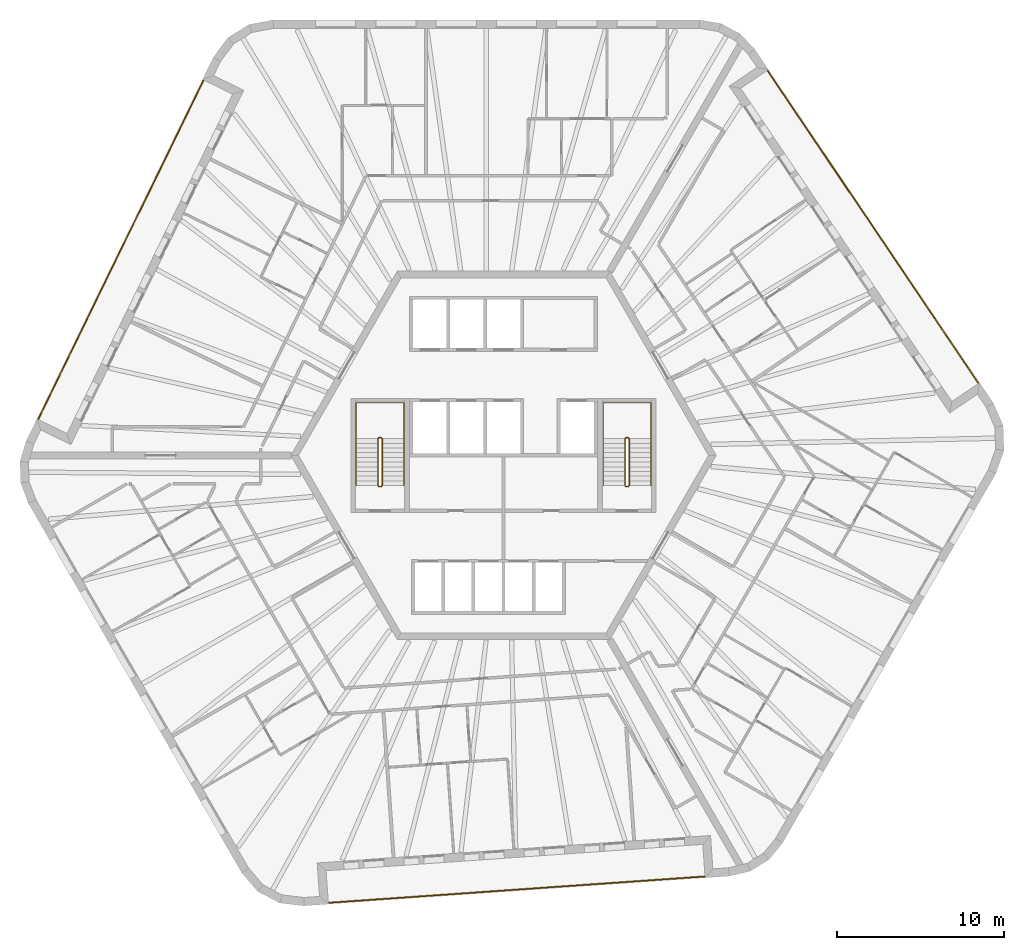
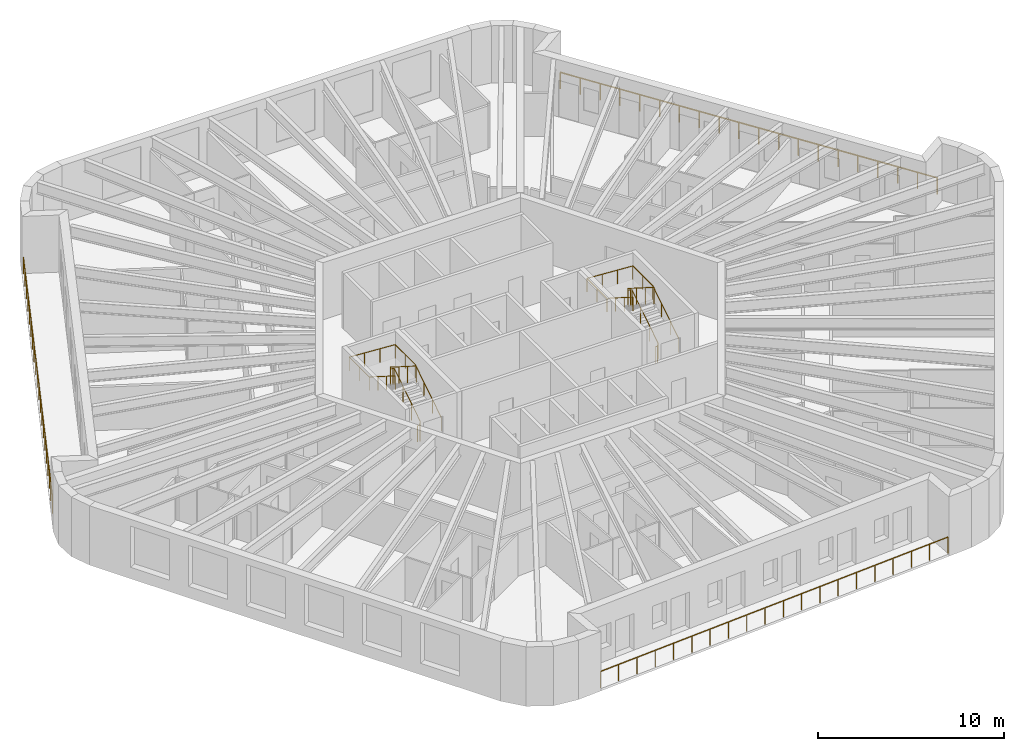
# One storey, part 12 of 12: 7 railings.
"""IFC4 building model written with IfcOpenShell, lengths in metres."""

from ifc_helpers import new_model, si_unit, direction, frame, origin, origin_2d, place, context, subcontext, project, spatial, circle, extrude, material, type_object, element, save


model = new_model("IFC4")

# Units and contexts
model_context = context("Model", 3, precision=1e-05, world=origin(), true_north=direction((0.0, 1.0)))
body_context = subcontext(model_context, "Body", "Model", "MODEL_VIEW")
ifc_project = project(units=[si_unit("LENGTHUNIT", "METRE"), si_unit("AREAUNIT", "SQUARE_METRE"), si_unit("VOLUMEUNIT", "CUBIC_METRE"), si_unit("PLANEANGLEUNIT", "RADIAN"), si_unit("MASSUNIT", "GRAM", prefix="KILO")], contexts=[model_context])

# Site, building, storey
site_placement = place(None, origin())
site = spatial("IfcSite", under=ifc_project, at=site_placement, CompositionType="ELEMENT")
building_placement = place(site_placement, origin())
building = spatial("IfcBuilding", under=site, at=building_placement, Name="Tarnside Tower", CompositionType="ELEMENT")
storey_placement = place(building_placement, frame((0.0, 0.0, 330.300048828125)))
storey = spatial("IfcBuildingStorey", under=building, at=storey_placement, Name="L80", CompositionType="ELEMENT", Elevation=330.300048828125)

# Railings
ifc_material_1 = material(Name="Toughened glass", Category="glass")
railing_type_1 = type_object("IfcRailingType", Name="Glass guard 1100", PredefinedType="GUARDRAIL", material=ifc_material_1)
railing_1_placement = place(storey_placement, frame((-17.906005859375, 22.415283203125, 0.0)))
element("IfcRailing", 1, at=railing_1_placement, inside=storey, type_object=railing_type_1, Name="Loggia guard L80 F2", PredefinedType="GUARDRAIL", context=body_context, shape_type="SweptSolid", body=[
    extrude(circle(Radius=0.030029296875, at=origin_2d()), frame((0.0, 0.0, 1.070068359375), z_axis=(-0.438372639335, -0.898793318335, 0.0), x_axis=(0.898793318335, -0.438372639335, 0.0)), (0.0, 0.0, 1.0), 22.544921875),
    extrude(circle(Radius=0.02490234375, at=origin_2d()), origin(), (0.0, 0.0, 1.0), 1.0400390625),
    extrude(circle(Radius=0.02490234375, at=origin_2d()), frame((-0.520263671875, -1.06640625, 0.0)), (0.0, 0.0, 1.0), 1.0400390625),
    extrude(circle(Radius=0.02490234375, at=origin_2d()), frame((-1.040283203125, -2.133056640625, 0.0)), (0.0, 0.0, 1.0), 1.0400390625),
    extrude(circle(Radius=0.02490234375, at=origin_2d()), frame((-1.560546875, -3.199462890625, 0.0)), (0.0, 0.0, 1.0), 1.0400390625),
    extrude(circle(Radius=0.02490234375, at=origin_2d()), frame((-2.08056640625, -4.265869140625, 0.0)), (0.0, 0.0, 1.0), 1.0400390625),
    extrude(circle(Radius=0.02490234375, at=origin_2d()), frame((-2.600830078125, -5.33251953125, 0.0)), (0.0, 0.0, 1.0), 1.0400390625),
    extrude(circle(Radius=0.02490234375, at=origin_2d()), frame((-3.120849609375, -6.39892578125, 0.0)), (0.0, 0.0, 1.0), 1.0400390625),
    extrude(circle(Radius=0.02490234375, at=origin_2d()), frame((-3.64111328125, -7.46533203125, 0.0)), (0.0, 0.0, 1.0), 1.0400390625),
    extrude(circle(Radius=0.02490234375, at=origin_2d()), frame((-4.161376953125, -8.531982421875, 0.0)), (0.0, 0.0, 1.0), 1.0400390625),
    extrude(circle(Radius=0.02490234375, at=origin_2d()), frame((-4.681396484375, -9.598388671875, 0.0)), (0.0, 0.0, 1.0), 1.0400390625),
    extrude(circle(Radius=0.02490234375, at=origin_2d()), frame((-5.20166015625, -10.664794921875, 0.0)), (0.0, 0.0, 1.0), 1.0400390625),
    extrude(circle(Radius=0.02490234375, at=origin_2d()), frame((-5.7216796875, -11.731201171875, 0.0)), (0.0, 0.0, 1.0), 1.0400390625),
    extrude(circle(Radius=0.02490234375, at=origin_2d()), frame((-6.241943359375, -12.7978515625, 0.0)), (0.0, 0.0, 1.0), 1.0400390625),
    extrude(circle(Radius=0.02490234375, at=origin_2d()), frame((-6.76220703125, -13.8642578125, 0.0)), (0.0, 0.0, 1.0), 1.0400390625),
    extrude(circle(Radius=0.02490234375, at=origin_2d()), frame((-7.2822265625, -14.9306640625, 0.0)), (0.0, 0.0, 1.0), 1.0400390625),
    extrude(circle(Radius=0.02490234375, at=origin_2d()), frame((-7.802490234375, -15.997314453125, 0.0)), (0.0, 0.0, 1.0), 1.0400390625),
    extrude(circle(Radius=0.02490234375, at=origin_2d()), frame((-8.322509765625, -17.063720703125, 0.0)), (0.0, 0.0, 1.0), 1.0400390625),
    extrude(circle(Radius=0.02490234375, at=origin_2d()), frame((-8.8427734375, -18.130126953125, 0.0)), (0.0, 0.0, 1.0), 1.0400390625),
    extrude(circle(Radius=0.02490234375, at=origin_2d()), frame((-9.36279296875, -19.19677734375, 0.0)), (0.0, 0.0, 1.0), 1.0400390625),
    extrude(circle(Radius=0.02490234375, at=origin_2d()), frame((-9.883056640625, -20.26318359375, 0.0)), (0.0, 0.0, 1.0), 1.0400390625),
])
railing_2_placement = place(storey_placement, frame((-10.458984375, -26.714599609375, 0.0)))
element("IfcRailing", 2, at=railing_2_placement, inside=storey, type_object=railing_type_1, Name="Loggia guard L80 F4", PredefinedType="GUARDRAIL", context=body_context, shape_type="SweptSolid", body=[
    extrude(circle(Radius=0.030029296875, at=origin_2d()), frame((0.0, 0.0, 1.070068359375), z_axis=(0.997564440639, 0.069750890837, 0.0), x_axis=(-0.069750890837, 0.997564440639, 0.0)), (0.0, 0.0, 1.0), 22.544677734375),
    extrude(circle(Radius=0.02490234375, at=origin_2d()), origin(), (0.0, 0.0, 1.0), 1.0400390625),
    extrude(circle(Radius=0.02490234375, at=origin_2d()), frame((1.18359375, 0.082763671875, 0.0)), (0.0, 0.0, 1.0), 1.0400390625),
    extrude(circle(Radius=0.02490234375, at=origin_2d()), frame((2.367431640625, 0.16552734375, 0.0)), (0.0, 0.0, 1.0), 1.0400390625),
    extrude(circle(Radius=0.02490234375, at=origin_2d()), frame((3.551025390625, 0.248291015625, 0.0)), (0.0, 0.0, 1.0), 1.0400390625),
    extrude(circle(Radius=0.02490234375, at=origin_2d()), frame((4.734619140625, 0.3310546875, 0.0)), (0.0, 0.0, 1.0), 1.0400390625),
    extrude(circle(Radius=0.02490234375, at=origin_2d()), frame((5.91845703125, 0.413818359375, 0.0)), (0.0, 0.0, 1.0), 1.0400390625),
    extrude(circle(Radius=0.02490234375, at=origin_2d()), frame((7.10205078125, 0.49658203125, 0.0)), (0.0, 0.0, 1.0), 1.0400390625),
    extrude(circle(Radius=0.02490234375, at=origin_2d()), frame((8.28564453125, 0.579345703125, 0.0)), (0.0, 0.0, 1.0), 1.0400390625),
    extrude(circle(Radius=0.02490234375, at=origin_2d()), frame((9.469482421875, 0.662109375, 0.0)), (0.0, 0.0, 1.0), 1.0400390625),
    extrude(circle(Radius=0.02490234375, at=origin_2d()), frame((10.653076171875, 0.744873046875, 0.0)), (0.0, 0.0, 1.0), 1.0400390625),
    extrude(circle(Radius=0.02490234375, at=origin_2d()), frame((11.836669921875, 0.82763671875, 0.0)), (0.0, 0.0, 1.0), 1.0400390625),
    extrude(circle(Radius=0.02490234375, at=origin_2d()), frame((13.020263671875, 0.910400390625, 0.0)), (0.0, 0.0, 1.0), 1.0400390625),
    extrude(circle(Radius=0.02490234375, at=origin_2d()), frame((14.2041015625, 0.9931640625, 0.0)), (0.0, 0.0, 1.0), 1.0400390625),
    extrude(circle(Radius=0.02490234375, at=origin_2d()), frame((15.3876953125, 1.075927734375, 0.0)), (0.0, 0.0, 1.0), 1.0400390625),
    extrude(circle(Radius=0.02490234375, at=origin_2d()), frame((16.5712890625, 1.15869140625, 0.0)), (0.0, 0.0, 1.0), 1.0400390625),
    extrude(circle(Radius=0.02490234375, at=origin_2d()), frame((17.755126953125, 1.241455078125, 0.0)), (0.0, 0.0, 1.0), 1.0400390625),
    extrude(circle(Radius=0.02490234375, at=origin_2d()), frame((18.938720703125, 1.32421875, 0.0)), (0.0, 0.0, 1.0), 1.0400390625),
    extrude(circle(Radius=0.02490234375, at=origin_2d()), frame((20.122314453125, 1.406982421875, 0.0)), (0.0, 0.0, 1.0), 1.0400390625),
    extrude(circle(Radius=0.02490234375, at=origin_2d()), frame((21.30615234375, 1.48974609375, 0.0)), (0.0, 0.0, 1.0), 1.0400390625),
    extrude(circle(Radius=0.02490234375, at=origin_2d()), frame((22.48974609375, 1.572509765625, 0.0)), (0.0, 0.0, 1.0), 1.0400390625),
])
railing_3_placement = place(storey_placement, frame((28.365234375, 4.299560546875, 0.0)))
element("IfcRailing", 3, at=railing_3_placement, inside=storey, type_object=railing_type_1, Name="Loggia guard L80 F6", PredefinedType="GUARDRAIL", context=body_context, shape_type="SweptSolid", body=[
    extrude(circle(Radius=0.030029296875, at=origin_2d()), frame((0.0, 0.0, 1.070068359375), z_axis=(-0.559195329741, 0.82903593601, 0.0), x_axis=(-0.82903593601, -0.559195329741, 0.0)), (0.0, 0.0, 1.0), 22.544677734375),
    extrude(circle(Radius=0.02490234375, at=origin_2d()), origin(), (0.0, 0.0, 1.0), 1.0400390625),
    extrude(circle(Radius=0.02490234375, at=origin_2d()), frame((-0.66357421875, 0.983642578125, 0.0)), (0.0, 0.0, 1.0), 1.0400390625),
    extrude(circle(Radius=0.02490234375, at=origin_2d()), frame((-1.3271484375, 1.967529296875, 0.0)), (0.0, 0.0, 1.0), 1.0400390625),
    extrude(circle(Radius=0.02490234375, at=origin_2d()), frame((-1.990478515625, 2.951171875, 0.0)), (0.0, 0.0, 1.0), 1.0400390625),
    extrude(circle(Radius=0.02490234375, at=origin_2d()), frame((-2.654052734375, 3.934814453125, 0.0)), (0.0, 0.0, 1.0), 1.0400390625),
    extrude(circle(Radius=0.02490234375, at=origin_2d()), frame((-3.317626953125, 4.91845703125, 0.0)), (0.0, 0.0, 1.0), 1.0400390625),
    extrude(circle(Radius=0.02490234375, at=origin_2d()), frame((-3.981201171875, 5.90234375, 0.0)), (0.0, 0.0, 1.0), 1.0400390625),
    extrude(circle(Radius=0.02490234375, at=origin_2d()), frame((-4.644775390625, 6.885986328125, 0.0)), (0.0, 0.0, 1.0), 1.0400390625),
    extrude(circle(Radius=0.02490234375, at=origin_2d()), frame((-5.30810546875, 7.86962890625, 0.0)), (0.0, 0.0, 1.0), 1.0400390625),
    extrude(circle(Radius=0.02490234375, at=origin_2d()), frame((-5.9716796875, 8.853271484375, 0.0)), (0.0, 0.0, 1.0), 1.0400390625),
    extrude(circle(Radius=0.02490234375, at=origin_2d()), frame((-6.63525390625, 9.837158203125, 0.0)), (0.0, 0.0, 1.0), 1.0400390625),
    extrude(circle(Radius=0.02490234375, at=origin_2d()), frame((-7.298828125, 10.82080078125, 0.0)), (0.0, 0.0, 1.0), 1.0400390625),
    extrude(circle(Radius=0.02490234375, at=origin_2d()), frame((-7.962158203125, 11.804443359375, 0.0)), (0.0, 0.0, 1.0), 1.0400390625),
    extrude(circle(Radius=0.02490234375, at=origin_2d()), frame((-8.625732421875, 12.7880859375, 0.0)), (0.0, 0.0, 1.0), 1.0400390625),
    extrude(circle(Radius=0.02490234375, at=origin_2d()), frame((-9.289306640625, 13.77197265625, 0.0)), (0.0, 0.0, 1.0), 1.0400390625),
    extrude(circle(Radius=0.02490234375, at=origin_2d()), frame((-9.952880859375, 14.755615234375, 0.0)), (0.0, 0.0, 1.0), 1.0400390625),
    extrude(circle(Radius=0.02490234375, at=origin_2d()), frame((-10.616455078125, 15.7392578125, 0.0)), (0.0, 0.0, 1.0), 1.0400390625),
    extrude(circle(Radius=0.02490234375, at=origin_2d()), frame((-11.27978515625, 16.722900390625, 0.0)), (0.0, 0.0, 1.0), 1.0400390625),
    extrude(circle(Radius=0.02490234375, at=origin_2d()), frame((-11.943359375, 17.706787109375, 0.0)), (0.0, 0.0, 1.0), 1.0400390625),
    extrude(circle(Radius=0.02490234375, at=origin_2d()), frame((-12.60693359375, 18.6904296875, 0.0)), (0.0, 0.0, 1.0), 1.0400390625),
])
ifc_material_2 = material(Name="Stainless steel", Category="steel")
railing_type_2 = type_object("IfcRailingType", Name="Stair guard 1100", PredefinedType="GUARDRAIL", material=ifc_material_2)
railing_4_placement = place(storey_placement, frame((7.300048828125, -1.85009765625, 0.0)))
element("IfcRailing", 4, at=railing_4_placement, inside=storey, type_object=railing_type_2, Name="L80 ST1 stair guard 1", PredefinedType="GUARDRAIL", context=body_context, shape_type="SweptSolid", body=[
    extrude(circle(Radius=0.02392578125, at=origin_2d()), frame((0.0, 0.0, 1.076171875), z_axis=(1.0, 0.0, 0.0), x_axis=(0.0, 1.0, 0.0)), (0.0, 0.0, 1.0), 0.14990234375),
    extrude(circle(Radius=0.02392578125, at=origin_2d()), frame((0.14990234375, 0.0, 1.076171875), z_axis=(0.262233686654, 0.262233686654, 0.928691007369), x_axis=(-0.707106781187, 0.707106781187, 0.0)), (0.0, 0.0, 1.0), 0.19091796875),
    extrude(circle(Radius=0.02392578125, at=origin_2d()), frame((0.199951171875, 0.050048828125, 1.25341796875), z_axis=(0.0, 0.844908973607, 0.534910110503), x_axis=(-1.0, 0.0, 0.0)), (0.0, 0.0, 1.0), 3.31396484375),
    extrude(circle(Radius=0.02392578125, at=origin_2d()), frame((0.199951171875, 2.85009765625, 3.02587890625), z_axis=(-0.707106781187, 0.707106781187, 0.0), x_axis=(-0.707106781187, -0.707106781187, 0.0)), (0.0, 0.0, 1.0), 0.07080078125),
    extrude(circle(Radius=0.02392578125, at=origin_2d()), frame((0.14990234375, 2.900146484375, 3.02587890625), z_axis=(-1.0, 0.0, 0.0), x_axis=(0.0, -1.0, 0.0)), (0.0, 0.0, 1.0), 0.14990234375),
    extrude(circle(Radius=0.02392578125, at=origin_2d()), frame((0.0, 2.900146484375, 3.02587890625), z_axis=(-0.262233686654, -0.262233686654, 0.928691007369), x_axis=(0.707106781187, -0.707106781187, 0.0)), (0.0, 0.0, 1.0), 0.19091796875),
    extrude(circle(Radius=0.02392578125, at=origin_2d()), frame((-0.050048828125, 2.85009765625, 3.203125), z_axis=(0.0, -0.844908973607, 0.534910110503), x_axis=(1.0, 0.0, 0.0)), (0.0, 0.0, 1.0), 3.31396484375),
    extrude(circle(Radius=0.02099609375, at=origin_2d()), origin(), (0.0, 0.0, 1.0), 1.052001953125),
    extrude(circle(Radius=0.02099609375, at=origin_2d()), frame((0.14990234375, 0.0, 0.0)), (0.0, 0.0, 1.0), 1.052001953125),
    extrude(circle(Radius=0.02099609375, at=origin_2d()), frame((0.199951171875, 0.050048828125, 0.17724609375)), (0.0, 0.0, 1.0), 1.052001953125),
    extrude(circle(Radius=0.02099609375, at=origin_2d()), frame((0.199951171875, 0.9833984375, 0.76806640625)), (0.0, 0.0, 1.0), 1.052001953125),
    extrude(circle(Radius=0.02099609375, at=origin_2d()), frame((0.199951171875, 1.916748046875, 1.359130859375)), (0.0, 0.0, 1.0), 1.052001953125),
    extrude(circle(Radius=0.02099609375, at=origin_2d()), frame((0.199951171875, 2.85009765625, 1.949951171875)), (0.0, 0.0, 1.0), 1.052001953125),
    extrude(circle(Radius=0.02099609375, at=origin_2d()), frame((0.14990234375, 2.900146484375, 1.949951171875)), (0.0, 0.0, 1.0), 1.052001953125),
    extrude(circle(Radius=0.02099609375, at=origin_2d()), frame((0.0, 2.900146484375, 1.949951171875)), (0.0, 0.0, 1.0), 1.052001953125),
    extrude(circle(Radius=0.02099609375, at=origin_2d()), frame((-0.050048828125, 2.85009765625, 2.127197265625)), (0.0, 0.0, 1.0), 1.052001953125),
    extrude(circle(Radius=0.02099609375, at=origin_2d()), frame((-0.050048828125, 1.916748046875, 2.718017578125)), (0.0, 0.0, 1.0), 1.052001953125),
    extrude(circle(Radius=0.02099609375, at=origin_2d()), frame((-0.050048828125, 0.9833984375, 3.30908203125)), (0.0, 0.0, 1.0), 1.052001953125),
    extrude(circle(Radius=0.02099609375, at=origin_2d()), frame((-0.050048828125, 0.050048828125, 3.89990234375)), (0.0, 0.0, 1.0), 1.052001953125),
])
railing_5_placement = place(storey_placement, frame((-7.449951171875, -1.85009765625, 0.0)))
element("IfcRailing", 5, at=railing_5_placement, inside=storey, type_object=railing_type_2, Name="L80 ST2 stair guard 1", PredefinedType="GUARDRAIL", context=body_context, shape_type="SweptSolid", body=[
    extrude(circle(Radius=0.02392578125, at=origin_2d()), frame((0.0, 0.0, 1.076171875), z_axis=(1.0, 0.0, 0.0), x_axis=(0.0, 1.0, 0.0)), (0.0, 0.0, 1.0), 0.14990234375),
    extrude(circle(Radius=0.02392578125, at=origin_2d()), frame((0.14990234375, 0.0, 1.076171875), z_axis=(0.262233686654, 0.262233686654, 0.928691007369), x_axis=(-0.707106781187, 0.707106781187, 0.0)), (0.0, 0.0, 1.0), 0.19091796875),
    extrude(circle(Radius=0.02392578125, at=origin_2d()), frame((0.199951171875, 0.050048828125, 1.25341796875), z_axis=(0.0, 0.844908973607, 0.534910110503), x_axis=(-1.0, 0.0, 0.0)), (0.0, 0.0, 1.0), 3.31396484375),
    extrude(circle(Radius=0.02392578125, at=origin_2d()), frame((0.199951171875, 2.85009765625, 3.02587890625), z_axis=(-0.707106781187, 0.707106781187, 0.0), x_axis=(-0.707106781187, -0.707106781187, 0.0)), (0.0, 0.0, 1.0), 0.07080078125),
    extrude(circle(Radius=0.02392578125, at=origin_2d()), frame((0.14990234375, 2.900146484375, 3.02587890625), z_axis=(-1.0, 0.0, 0.0), x_axis=(0.0, -1.0, 0.0)), (0.0, 0.0, 1.0), 0.14990234375),
    extrude(circle(Radius=0.02392578125, at=origin_2d()), frame((0.0, 2.900146484375, 3.02587890625), z_axis=(-0.262233686654, -0.262233686654, 0.928691007369), x_axis=(0.707106781187, -0.707106781187, 0.0)), (0.0, 0.0, 1.0), 0.19091796875),
    extrude(circle(Radius=0.02392578125, at=origin_2d()), frame((-0.050048828125, 2.85009765625, 3.203125), z_axis=(0.0, -0.844908973607, 0.534910110503), x_axis=(1.0, 0.0, 0.0)), (0.0, 0.0, 1.0), 3.31396484375),
    extrude(circle(Radius=0.02099609375, at=origin_2d()), origin(), (0.0, 0.0, 1.0), 1.052001953125),
    extrude(circle(Radius=0.02099609375, at=origin_2d()), frame((0.14990234375, 0.0, 0.0)), (0.0, 0.0, 1.0), 1.052001953125),
    extrude(circle(Radius=0.02099609375, at=origin_2d()), frame((0.199951171875, 0.050048828125, 0.17724609375)), (0.0, 0.0, 1.0), 1.052001953125),
    extrude(circle(Radius=0.02099609375, at=origin_2d()), frame((0.199951171875, 0.9833984375, 0.76806640625)), (0.0, 0.0, 1.0), 1.052001953125),
    extrude(circle(Radius=0.02099609375, at=origin_2d()), frame((0.199951171875, 1.916748046875, 1.359130859375)), (0.0, 0.0, 1.0), 1.052001953125),
    extrude(circle(Radius=0.02099609375, at=origin_2d()), frame((0.199951171875, 2.85009765625, 1.949951171875)), (0.0, 0.0, 1.0), 1.052001953125),
    extrude(circle(Radius=0.02099609375, at=origin_2d()), frame((0.14990234375, 2.900146484375, 1.949951171875)), (0.0, 0.0, 1.0), 1.052001953125),
    extrude(circle(Radius=0.02099609375, at=origin_2d()), frame((0.0, 2.900146484375, 1.949951171875)), (0.0, 0.0, 1.0), 1.052001953125),
    extrude(circle(Radius=0.02099609375, at=origin_2d()), frame((-0.050048828125, 2.85009765625, 2.127197265625)), (0.0, 0.0, 1.0), 1.052001953125),
    extrude(circle(Radius=0.02099609375, at=origin_2d()), frame((-0.050048828125, 1.916748046875, 2.718017578125)), (0.0, 0.0, 1.0), 1.052001953125),
    extrude(circle(Radius=0.02099609375, at=origin_2d()), frame((-0.050048828125, 0.9833984375, 3.30908203125)), (0.0, 0.0, 1.0), 1.052001953125),
    extrude(circle(Radius=0.02099609375, at=origin_2d()), frame((-0.050048828125, 0.050048828125, 3.89990234375)), (0.0, 0.0, 1.0), 1.052001953125),
])
railing_type_3 = type_object("IfcRailingType", Name="Stair handrail 900", PredefinedType="HANDRAIL", material=ifc_material_2)
railing_6_placement = place(storey_placement, frame((8.800048828125, -1.800048828125, 0.17724609375)))
element("IfcRailing", 6, at=railing_6_placement, inside=storey, type_object=railing_type_3, Name="L80 ST1 stair handrail 1", PredefinedType="HANDRAIL", context=body_context, shape_type="SweptSolid", body=[
    extrude(circle(Radius=0.02392578125, at=origin_2d()), frame((0.0, 0.0, 0.8857421875), z_axis=(0.0, 0.844908973607, 0.534910110503), x_axis=(-1.0, 0.0, 0.0)), (0.0, 0.0, 1.0), 3.31396484375),
    extrude(circle(Radius=0.02392578125, at=origin_2d()), frame((0.0, 2.800048828125, 2.65869140625), z_axis=(0.0, 1.0, 0.0), x_axis=(-1.0, 0.0, 0.0)), (0.0, 0.0, 1.0), 2.14990234375),
    extrude(circle(Radius=0.02392578125, at=origin_2d()), frame((0.0, 4.949951171875, 2.65869140625), z_axis=(-0.998071825391, 0.0, 0.06206956872), x_axis=(0.0, -1.0, 0.0)), (0.0, 0.0, 1.0), 2.855712890625),
    extrude(circle(Radius=0.02392578125, at=origin_2d()), frame((-2.85009765625, 4.949951171875, 2.8359375), z_axis=(0.0, -1.0, 0.0), x_axis=(1.0, 0.0, 0.0)), (0.0, 0.0, 1.0), 2.14990234375),
    extrude(circle(Radius=0.02392578125, at=origin_2d()), frame((-2.85009765625, 2.800048828125, 2.8359375), z_axis=(0.0, -0.844908973607, 0.534910110503), x_axis=(1.0, 0.0, 0.0)), (0.0, 0.0, 1.0), 3.31396484375),
    extrude(circle(Radius=0.02099609375, at=origin_2d()), origin(), (0.0, 0.0, 1.0), 0.86181640625),
    extrude(circle(Radius=0.02099609375, at=origin_2d()), frame((0.0, 0.933349609375, 0.5908203125)), (0.0, 0.0, 1.0), 0.86181640625),
    extrude(circle(Radius=0.02099609375, at=origin_2d()), frame((0.0, 1.86669921875, 1.181884765625)), (0.0, 0.0, 1.0), 0.86181640625),
    extrude(circle(Radius=0.02099609375, at=origin_2d()), frame((0.0, 2.800048828125, 1.772705078125)), (0.0, 0.0, 1.0), 0.86181640625),
    extrude(circle(Radius=0.02099609375, at=origin_2d()), frame((0.0, 3.875, 1.772705078125)), (0.0, 0.0, 1.0), 0.86181640625),
    extrude(circle(Radius=0.02099609375, at=origin_2d()), frame((0.0, 4.949951171875, 1.772705078125)), (0.0, 0.0, 1.0), 0.86181640625),
    extrude(circle(Radius=0.02099609375, at=origin_2d()), frame((-0.949951171875, 4.949951171875, 1.831787109375)), (0.0, 0.0, 1.0), 0.86181640625),
    extrude(circle(Radius=0.02099609375, at=origin_2d()), frame((-1.900146484375, 4.949951171875, 1.890869140625)), (0.0, 0.0, 1.0), 0.86181640625),
    extrude(circle(Radius=0.02099609375, at=origin_2d()), frame((-2.85009765625, 4.949951171875, 1.949951171875)), (0.0, 0.0, 1.0), 0.86181640625),
    extrude(circle(Radius=0.02099609375, at=origin_2d()), frame((-2.85009765625, 3.875, 1.949951171875)), (0.0, 0.0, 1.0), 0.86181640625),
    extrude(circle(Radius=0.02099609375, at=origin_2d()), frame((-2.85009765625, 2.800048828125, 1.949951171875)), (0.0, 0.0, 1.0), 0.86181640625),
    extrude(circle(Radius=0.02099609375, at=origin_2d()), frame((-2.85009765625, 1.86669921875, 2.540771484375)), (0.0, 0.0, 1.0), 0.86181640625),
    extrude(circle(Radius=0.02099609375, at=origin_2d()), frame((-2.85009765625, 0.933349609375, 3.1318359375)), (0.0, 0.0, 1.0), 0.86181640625),
    extrude(circle(Radius=0.02099609375, at=origin_2d()), frame((-2.85009765625, 0.0, 3.72265625)), (0.0, 0.0, 1.0), 0.86181640625),
])
railing_7_placement = place(storey_placement, frame((-5.949951171875, -1.800048828125, 0.17724609375)))
element("IfcRailing", 7, at=railing_7_placement, inside=storey, type_object=railing_type_3, Name="L80 ST2 stair handrail 1", PredefinedType="HANDRAIL", context=body_context, shape_type="SweptSolid", body=[
    extrude(circle(Radius=0.02392578125, at=origin_2d()), frame((0.0, 0.0, 0.8857421875), z_axis=(0.0, 0.844908973607, 0.534910110503), x_axis=(-1.0, 0.0, 0.0)), (0.0, 0.0, 1.0), 3.31396484375),
    extrude(circle(Radius=0.02392578125, at=origin_2d()), frame((0.0, 2.800048828125, 2.65869140625), z_axis=(0.0, 1.0, 0.0), x_axis=(-1.0, 0.0, 0.0)), (0.0, 0.0, 1.0), 2.14990234375),
    extrude(circle(Radius=0.02392578125, at=origin_2d()), frame((0.0, 4.949951171875, 2.65869140625), z_axis=(-0.998071825391, 0.0, 0.06206956872), x_axis=(0.0, -1.0, 0.0)), (0.0, 0.0, 1.0), 2.855712890625),
    extrude(circle(Radius=0.02392578125, at=origin_2d()), frame((-2.85009765625, 4.949951171875, 2.8359375), z_axis=(0.0, -1.0, 0.0), x_axis=(1.0, 0.0, 0.0)), (0.0, 0.0, 1.0), 2.14990234375),
    extrude(circle(Radius=0.02392578125, at=origin_2d()), frame((-2.85009765625, 2.800048828125, 2.8359375), z_axis=(0.0, -0.844908973607, 0.534910110503), x_axis=(1.0, 0.0, 0.0)), (0.0, 0.0, 1.0), 3.31396484375),
    extrude(circle(Radius=0.02099609375, at=origin_2d()), origin(), (0.0, 0.0, 1.0), 0.86181640625),
    extrude(circle(Radius=0.02099609375, at=origin_2d()), frame((0.0, 0.933349609375, 0.5908203125)), (0.0, 0.0, 1.0), 0.86181640625),
    extrude(circle(Radius=0.02099609375, at=origin_2d()), frame((0.0, 1.86669921875, 1.181884765625)), (0.0, 0.0, 1.0), 0.86181640625),
    extrude(circle(Radius=0.02099609375, at=origin_2d()), frame((0.0, 2.800048828125, 1.772705078125)), (0.0, 0.0, 1.0), 0.86181640625),
    extrude(circle(Radius=0.02099609375, at=origin_2d()), frame((0.0, 3.875, 1.772705078125)), (0.0, 0.0, 1.0), 0.86181640625),
    extrude(circle(Radius=0.02099609375, at=origin_2d()), frame((0.0, 4.949951171875, 1.772705078125)), (0.0, 0.0, 1.0), 0.86181640625),
    extrude(circle(Radius=0.02099609375, at=origin_2d()), frame((-0.949951171875, 4.949951171875, 1.831787109375)), (0.0, 0.0, 1.0), 0.86181640625),
    extrude(circle(Radius=0.02099609375, at=origin_2d()), frame((-1.900146484375, 4.949951171875, 1.890869140625)), (0.0, 0.0, 1.0), 0.86181640625),
    extrude(circle(Radius=0.02099609375, at=origin_2d()), frame((-2.85009765625, 4.949951171875, 1.949951171875)), (0.0, 0.0, 1.0), 0.86181640625),
    extrude(circle(Radius=0.02099609375, at=origin_2d()), frame((-2.85009765625, 3.875, 1.949951171875)), (0.0, 0.0, 1.0), 0.86181640625),
    extrude(circle(Radius=0.02099609375, at=origin_2d()), frame((-2.85009765625, 2.800048828125, 1.949951171875)), (0.0, 0.0, 1.0), 0.86181640625),
    extrude(circle(Radius=0.02099609375, at=origin_2d()), frame((-2.85009765625, 1.86669921875, 2.540771484375)), (0.0, 0.0, 1.0), 0.86181640625),
    extrude(circle(Radius=0.02099609375, at=origin_2d()), frame((-2.85009765625, 0.933349609375, 3.1318359375)), (0.0, 0.0, 1.0), 0.86181640625),
    extrude(circle(Radius=0.02099609375, at=origin_2d()), frame((-2.85009765625, 0.0, 3.72265625)), (0.0, 0.0, 1.0), 0.86181640625),
])

save(model, "model.ifc")
